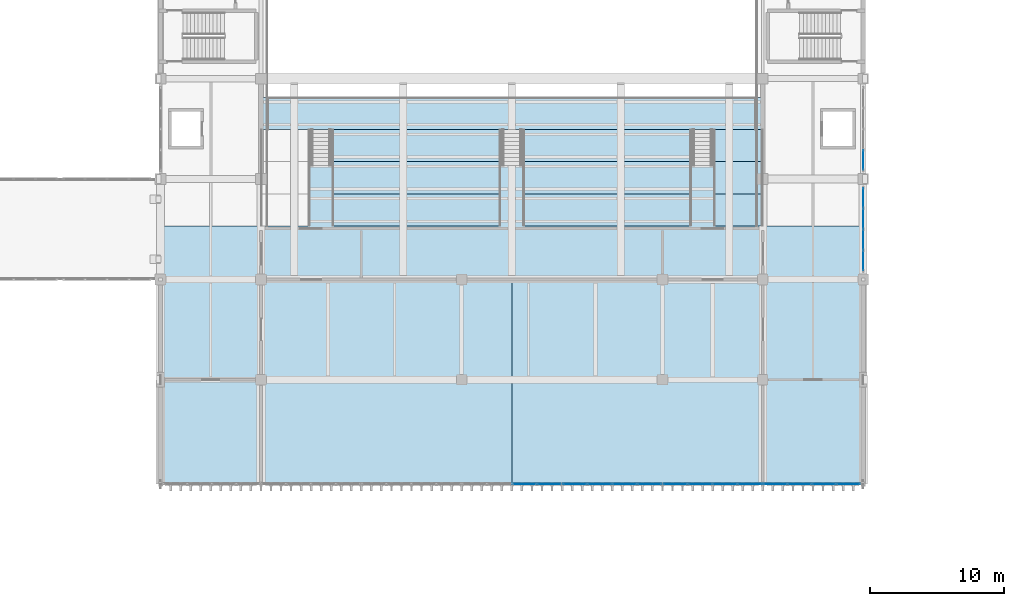
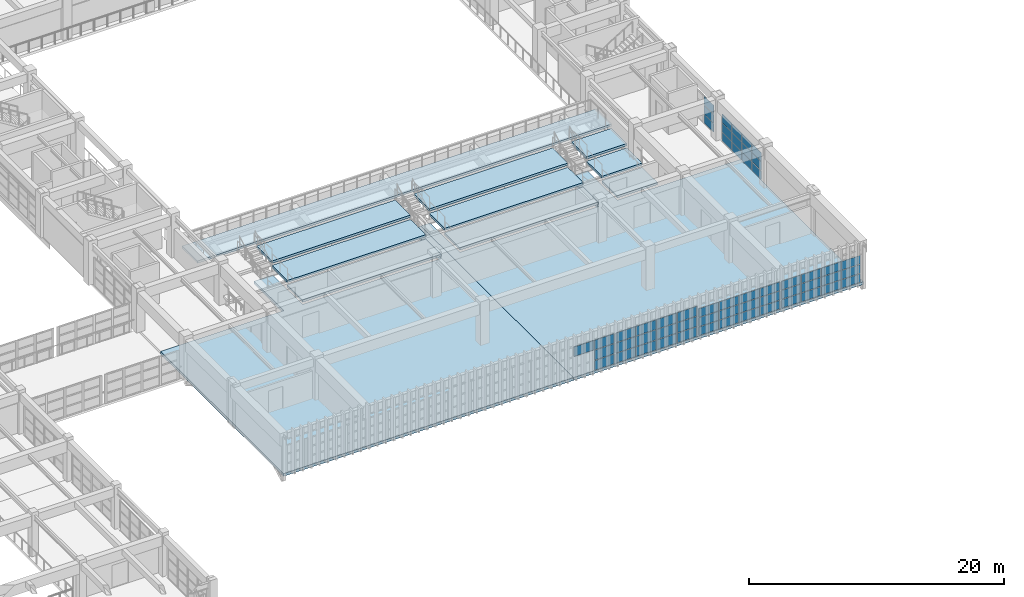
# One storey, part 81 of 124: 55 plates, 12 slabs, 6 elements without a shape of their own.
"""IFC4 building model written with IfcOpenShell, lengths in metres."""

from ifc_helpers import new_model, si_unit, direction, frame, origin, origin_2d, place, context, subcontext, project, spatial, polyline, rectangle, outline, extrude, material, layer, layer_set, type_object, element, aggregate, save


model = new_model("IFC4")

# Units and contexts
model_context = context("Model", 3, precision=1e-05, world=origin(), true_north=direction((0.0, 1.0)))
body_context = subcontext(model_context, "Body", "Model", "MODEL_VIEW")
ifc_project = project(units=[si_unit("LENGTHUNIT", "METRE"), si_unit("AREAUNIT", "SQUARE_METRE"), si_unit("VOLUMEUNIT", "CUBIC_METRE"), si_unit("PLANEANGLEUNIT", "RADIAN"), si_unit("MASSUNIT", "GRAM", prefix="KILO")], contexts=[model_context])

# Site, building, storey
site_placement = place(None, origin())
site = spatial("IfcSite", under=ifc_project, at=site_placement, CompositionType="ELEMENT")
building_placement = place(site_placement, origin())
building = spatial("IfcBuilding", under=site, at=building_placement, Name="Qasida Concert Hall", CompositionType="ELEMENT")
storey_placement = place(building_placement, frame((0.0, 0.0, 9.0)))
storey = spatial("IfcBuildingStorey", under=building, at=storey_placement, Name="L02", CompositionType="ELEMENT", Elevation=9.0)

# Curtain wall, plates
ifc_material_1 = material(Name="Architectural bronze-anodized aluminium and low-E glass", Category="aluminium")
curtain_wall_type = type_object("IfcCurtainWallType", Name="CW-03", PredefinedType="NOTDEFINED", material=ifc_material_1)
curtain_wall_1_placement = place(storey_placement, origin())
curtain_wall_1 = element("IfcCurtainWall", 1, at=curtain_wall_1_placement, inside=storey, type_object=curtain_wall_type, Name="L02 curtain wall CW-03 0011", PredefinedType="NOTDEFINED")
ifc_material_2 = material(Name="Solar-control low-E double glazing", Category="glass")
ifc_layer_1 = layer(ifc_material_2, 0.031982421875, Name="Solar-control low-E double glazing")
ifc_layer_set_1 = layer_set([ifc_layer_1], Name="Solar-control low-E double glazing")
plate_type = type_object("IfcPlateType", Name="PLT-CWP-2", PredefinedType="CURTAIN_PANEL", material=ifc_layer_set_1)
plate_1_placement = place(storey_placement, frame((79.6826171875, 14.699951171875, 2.023193359375), z_axis=(0.0, 0.0, 1.0), x_axis=(1.0, 0.0, 0.0)))
plate_1 = element("IfcPlate", 2, at=plate_1_placement, type_object=plate_type, Name="CW-03 panel 3.3", PredefinedType="CURTAIN_PANEL", context=body_context, shape_type="SweptSolid", body=[
    extrude(rectangle(XDim=1.800048828125, YDim=0.031982421875, at=origin_2d()), origin(), (0.0, 0.0, 1.0), 0.90673828125),
])
plate_2_placement = place(storey_placement, frame((81.53125, 14.699951171875, 0.06005859375), z_axis=(0.0, 0.0, 1.0), x_axis=(1.0, 0.0, 0.0)))
plate_2 = element("IfcPlate", 3, at=plate_2_placement, type_object=plate_type, Name="CW-03 panel 4.1", PredefinedType="CURTAIN_PANEL", context=body_context, shape_type="SweptSolid", body=[
    extrude(rectangle(XDim=1.767578125, YDim=0.031982421875, at=origin_2d()), origin(), (0.0, 0.0, 1.0), 0.90673828125),
])
plate_3_placement = place(storey_placement, frame((81.53125, 14.699951171875, 1.02685546875), z_axis=(0.0, 0.0, 1.0), x_axis=(1.0, 0.0, 0.0)))
plate_3 = element("IfcPlate", 4, at=plate_3_placement, type_object=plate_type, Name="CW-03 panel 4.2", PredefinedType="CURTAIN_PANEL", context=body_context, shape_type="SweptSolid", body=[
    extrude(rectangle(XDim=1.767578125, YDim=0.031982421875, at=origin_2d()), origin(), (0.0, 0.0, 1.0), 0.9365234375),
])
plate_4_placement = place(storey_placement, frame((81.53125, 14.699951171875, 2.023193359375), z_axis=(0.0, 0.0, 1.0), x_axis=(1.0, 0.0, 0.0)))
plate_4 = element("IfcPlate", 5, at=plate_4_placement, type_object=plate_type, Name="CW-03 panel 4.3", PredefinedType="CURTAIN_PANEL", context=body_context, shape_type="SweptSolid", body=[
    extrude(rectangle(XDim=1.767578125, YDim=0.031982421875, at=origin_2d()), origin(), (0.0, 0.0, 1.0), 0.90673828125),
])
aggregate(curtain_wall_1, [plate_1, plate_2, plate_3, plate_4])

curtain_wall_2_placement = place(storey_placement, origin())
curtain_wall_2 = element("IfcCurtainWall", 6, at=curtain_wall_2_placement, inside=storey, type_object=curtain_wall_type, Name="L02 curtain wall CW-03 0012", PredefinedType="NOTDEFINED")
plate_5_placement = place(storey_placement, frame((83.46875, 14.699951171875, 0.06005859375), z_axis=(0.0, 0.0, 1.0), x_axis=(1.0, 0.0, 0.0)))
plate_5 = element("IfcPlate", 7, at=plate_5_placement, type_object=plate_type, Name="CW-03 panel 1.1", PredefinedType="CURTAIN_PANEL", context=body_context, shape_type="SweptSolid", body=[
    extrude(rectangle(XDim=1.767578125, YDim=0.031982421875, at=origin_2d()), origin(), (0.0, 0.0, 1.0), 0.90673828125),
])
plate_6_placement = place(storey_placement, frame((83.46875, 14.699951171875, 1.02685546875), z_axis=(0.0, 0.0, 1.0), x_axis=(1.0, 0.0, 0.0)))
plate_6 = element("IfcPlate", 8, at=plate_6_placement, type_object=plate_type, Name="CW-03 panel 1.2", PredefinedType="CURTAIN_PANEL", context=body_context, shape_type="SweptSolid", body=[
    extrude(rectangle(XDim=1.767578125, YDim=0.031982421875, at=origin_2d()), origin(), (0.0, 0.0, 1.0), 0.9365234375),
])
plate_7_placement = place(storey_placement, frame((83.46875, 14.699951171875, 2.023193359375), z_axis=(0.0, 0.0, 1.0), x_axis=(1.0, 0.0, 0.0)))
plate_7 = element("IfcPlate", 9, at=plate_7_placement, type_object=plate_type, Name="CW-03 panel 1.3", PredefinedType="CURTAIN_PANEL", context=body_context, shape_type="SweptSolid", body=[
    extrude(rectangle(XDim=1.767578125, YDim=0.031982421875, at=origin_2d()), origin(), (0.0, 0.0, 1.0), 0.90673828125),
])
plate_8_placement = place(storey_placement, frame((85.3173828125, 14.699951171875, 0.06005859375), z_axis=(0.0, 0.0, 1.0), x_axis=(1.0, 0.0, 0.0)))
plate_8 = element("IfcPlate", 10, at=plate_8_placement, type_object=plate_type, Name="CW-03 panel 2.1", PredefinedType="CURTAIN_PANEL", context=body_context, shape_type="SweptSolid", body=[
    extrude(rectangle(XDim=1.800048828125, YDim=0.031982421875, at=origin_2d()), origin(), (0.0, 0.0, 1.0), 0.90673828125),
])
plate_9_placement = place(storey_placement, frame((85.3173828125, 14.699951171875, 1.02685546875), z_axis=(0.0, 0.0, 1.0), x_axis=(1.0, 0.0, 0.0)))
plate_9 = element("IfcPlate", 11, at=plate_9_placement, type_object=plate_type, Name="CW-03 panel 2.2", PredefinedType="CURTAIN_PANEL", context=body_context, shape_type="SweptSolid", body=[
    extrude(rectangle(XDim=1.800048828125, YDim=0.031982421875, at=origin_2d()), origin(), (0.0, 0.0, 1.0), 0.9365234375),
])
plate_10_placement = place(storey_placement, frame((85.3173828125, 14.699951171875, 2.023193359375), z_axis=(0.0, 0.0, 1.0), x_axis=(1.0, 0.0, 0.0)))
plate_10 = element("IfcPlate", 12, at=plate_10_placement, type_object=plate_type, Name="CW-03 panel 2.3", PredefinedType="CURTAIN_PANEL", context=body_context, shape_type="SweptSolid", body=[
    extrude(rectangle(XDim=1.800048828125, YDim=0.031982421875, at=origin_2d()), origin(), (0.0, 0.0, 1.0), 0.90673828125),
])
plate_11_placement = place(storey_placement, frame((87.1826171875, 14.699951171875, 0.06005859375), z_axis=(0.0, 0.0, 1.0), x_axis=(1.0, 0.0, 0.0)))
plate_11 = element("IfcPlate", 13, at=plate_11_placement, type_object=plate_type, Name="CW-03 panel 3.1", PredefinedType="CURTAIN_PANEL", context=body_context, shape_type="SweptSolid", body=[
    extrude(rectangle(XDim=1.800048828125, YDim=0.031982421875, at=origin_2d()), origin(), (0.0, 0.0, 1.0), 0.90673828125),
])
plate_12_placement = place(storey_placement, frame((87.1826171875, 14.699951171875, 1.02685546875), z_axis=(0.0, 0.0, 1.0), x_axis=(1.0, 0.0, 0.0)))
plate_12 = element("IfcPlate", 14, at=plate_12_placement, type_object=plate_type, Name="CW-03 panel 3.2", PredefinedType="CURTAIN_PANEL", context=body_context, shape_type="SweptSolid", body=[
    extrude(rectangle(XDim=1.800048828125, YDim=0.031982421875, at=origin_2d()), origin(), (0.0, 0.0, 1.0), 0.9365234375),
])
plate_13_placement = place(storey_placement, frame((87.1826171875, 14.699951171875, 2.023193359375), z_axis=(0.0, 0.0, 1.0), x_axis=(1.0, 0.0, 0.0)))
plate_13 = element("IfcPlate", 15, at=plate_13_placement, type_object=plate_type, Name="CW-03 panel 3.3", PredefinedType="CURTAIN_PANEL", context=body_context, shape_type="SweptSolid", body=[
    extrude(rectangle(XDim=1.800048828125, YDim=0.031982421875, at=origin_2d()), origin(), (0.0, 0.0, 1.0), 0.90673828125),
])
plate_14_placement = place(storey_placement, frame((89.03125, 14.699951171875, 0.06005859375), z_axis=(0.0, 0.0, 1.0), x_axis=(1.0, 0.0, 0.0)))
plate_14 = element("IfcPlate", 16, at=plate_14_placement, type_object=plate_type, Name="CW-03 panel 4.1", PredefinedType="CURTAIN_PANEL", context=body_context, shape_type="SweptSolid", body=[
    extrude(rectangle(XDim=1.767578125, YDim=0.031982421875, at=origin_2d()), origin(), (0.0, 0.0, 1.0), 0.90673828125),
])
plate_15_placement = place(storey_placement, frame((89.03125, 14.699951171875, 1.02685546875), z_axis=(0.0, 0.0, 1.0), x_axis=(1.0, 0.0, 0.0)))
plate_15 = element("IfcPlate", 17, at=plate_15_placement, type_object=plate_type, Name="CW-03 panel 4.2", PredefinedType="CURTAIN_PANEL", context=body_context, shape_type="SweptSolid", body=[
    extrude(rectangle(XDim=1.767578125, YDim=0.031982421875, at=origin_2d()), origin(), (0.0, 0.0, 1.0), 0.9365234375),
])
plate_16_placement = place(storey_placement, frame((89.03125, 14.699951171875, 2.023193359375), z_axis=(0.0, 0.0, 1.0), x_axis=(1.0, 0.0, 0.0)))
plate_16 = element("IfcPlate", 18, at=plate_16_placement, type_object=plate_type, Name="CW-03 panel 4.3", PredefinedType="CURTAIN_PANEL", context=body_context, shape_type="SweptSolid", body=[
    extrude(rectangle(XDim=1.767578125, YDim=0.031982421875, at=origin_2d()), origin(), (0.0, 0.0, 1.0), 0.90673828125),
])
aggregate(curtain_wall_2, [plate_5, plate_6, plate_7, plate_8, plate_9, plate_10, plate_11, plate_12, plate_13, plate_14, plate_15, plate_16])

curtain_wall_3_placement = place(storey_placement, origin())
curtain_wall_3 = element("IfcCurtainWall", 19, at=curtain_wall_3_placement, inside=storey, type_object=curtain_wall_type, Name="L02 curtain wall CW-03 0013", PredefinedType="NOTDEFINED")
plate_17_placement = place(storey_placement, frame((90.96875, 14.699951171875, 0.06005859375), z_axis=(0.0, 0.0, 1.0), x_axis=(1.0, 0.0, 0.0)))
plate_17 = element("IfcPlate", 20, at=plate_17_placement, type_object=plate_type, Name="CW-03 panel 1.1", PredefinedType="CURTAIN_PANEL", context=body_context, shape_type="SweptSolid", body=[
    extrude(rectangle(XDim=1.767578125, YDim=0.031982421875, at=origin_2d()), origin(), (0.0, 0.0, 1.0), 0.806640625),
])
plate_18_placement = place(storey_placement, frame((90.96875, 14.699951171875, 0.9267578125), z_axis=(0.0, 0.0, 1.0), x_axis=(1.0, 0.0, 0.0)))
plate_18 = element("IfcPlate", 21, at=plate_18_placement, type_object=plate_type, Name="CW-03 panel 1.2", PredefinedType="CURTAIN_PANEL", context=body_context, shape_type="SweptSolid", body=[
    extrude(rectangle(XDim=1.767578125, YDim=0.031982421875, at=origin_2d()), origin(), (0.0, 0.0, 1.0), 0.836669921875),
])
plate_19_placement = place(storey_placement, frame((90.96875, 14.699951171875, 1.8232421875), z_axis=(0.0, 0.0, 1.0), x_axis=(1.0, 0.0, 0.0)))
plate_19 = element("IfcPlate", 22, at=plate_19_placement, type_object=plate_type, Name="CW-03 panel 1.3", PredefinedType="CURTAIN_PANEL", context=body_context, shape_type="SweptSolid", body=[
    extrude(rectangle(XDim=1.767578125, YDim=0.031982421875, at=origin_2d()), origin(), (0.0, 0.0, 1.0), 0.806640625),
])
plate_20_placement = place(storey_placement, frame((92.8173828125, 14.699951171875, 0.06005859375), z_axis=(0.0, 0.0, 1.0), x_axis=(1.0, 0.0, 0.0)))
plate_20 = element("IfcPlate", 23, at=plate_20_placement, type_object=plate_type, Name="CW-03 panel 2.1", PredefinedType="CURTAIN_PANEL", context=body_context, shape_type="SweptSolid", body=[
    extrude(rectangle(XDim=1.800048828125, YDim=0.031982421875, at=origin_2d()), origin(), (0.0, 0.0, 1.0), 0.806640625),
])
plate_21_placement = place(storey_placement, frame((92.8173828125, 14.699951171875, 0.9267578125), z_axis=(0.0, 0.0, 1.0), x_axis=(1.0, 0.0, 0.0)))
plate_21 = element("IfcPlate", 24, at=plate_21_placement, type_object=plate_type, Name="CW-03 panel 2.2", PredefinedType="CURTAIN_PANEL", context=body_context, shape_type="SweptSolid", body=[
    extrude(rectangle(XDim=1.800048828125, YDim=0.031982421875, at=origin_2d()), origin(), (0.0, 0.0, 1.0), 0.836669921875),
])
plate_22_placement = place(storey_placement, frame((92.8173828125, 14.699951171875, 1.8232421875), z_axis=(0.0, 0.0, 1.0), x_axis=(1.0, 0.0, 0.0)))
plate_22 = element("IfcPlate", 25, at=plate_22_placement, type_object=plate_type, Name="CW-03 panel 2.3", PredefinedType="CURTAIN_PANEL", context=body_context, shape_type="SweptSolid", body=[
    extrude(rectangle(XDim=1.800048828125, YDim=0.031982421875, at=origin_2d()), origin(), (0.0, 0.0, 1.0), 0.806640625),
])
plate_23_placement = place(storey_placement, frame((94.6826171875, 14.699951171875, 0.06005859375), z_axis=(0.0, 0.0, 1.0), x_axis=(1.0, 0.0, 0.0)))
plate_23 = element("IfcPlate", 26, at=plate_23_placement, type_object=plate_type, Name="CW-03 panel 3.1", PredefinedType="CURTAIN_PANEL", context=body_context, shape_type="SweptSolid", body=[
    extrude(rectangle(XDim=1.800048828125, YDim=0.031982421875, at=origin_2d()), origin(), (0.0, 0.0, 1.0), 0.806640625),
])
plate_24_placement = place(storey_placement, frame((94.6826171875, 14.699951171875, 0.9267578125), z_axis=(0.0, 0.0, 1.0), x_axis=(1.0, 0.0, 0.0)))
plate_24 = element("IfcPlate", 27, at=plate_24_placement, type_object=plate_type, Name="CW-03 panel 3.2", PredefinedType="CURTAIN_PANEL", context=body_context, shape_type="SweptSolid", body=[
    extrude(rectangle(XDim=1.800048828125, YDim=0.031982421875, at=origin_2d()), origin(), (0.0, 0.0, 1.0), 0.836669921875),
])
plate_25_placement = place(storey_placement, frame((94.6826171875, 14.699951171875, 1.8232421875), z_axis=(0.0, 0.0, 1.0), x_axis=(1.0, 0.0, 0.0)))
plate_25 = element("IfcPlate", 28, at=plate_25_placement, type_object=plate_type, Name="CW-03 panel 3.3", PredefinedType="CURTAIN_PANEL", context=body_context, shape_type="SweptSolid", body=[
    extrude(rectangle(XDim=1.800048828125, YDim=0.031982421875, at=origin_2d()), origin(), (0.0, 0.0, 1.0), 0.806640625),
])
plate_26_placement = place(storey_placement, frame((96.53125, 14.699951171875, 0.06005859375), z_axis=(0.0, 0.0, 1.0), x_axis=(1.0, 0.0, 0.0)))
plate_26 = element("IfcPlate", 29, at=plate_26_placement, type_object=plate_type, Name="CW-03 panel 4.1", PredefinedType="CURTAIN_PANEL", context=body_context, shape_type="SweptSolid", body=[
    extrude(rectangle(XDim=1.767578125, YDim=0.031982421875, at=origin_2d()), origin(), (0.0, 0.0, 1.0), 0.806640625),
])
plate_27_placement = place(storey_placement, frame((96.53125, 14.699951171875, 0.9267578125), z_axis=(0.0, 0.0, 1.0), x_axis=(1.0, 0.0, 0.0)))
plate_27 = element("IfcPlate", 30, at=plate_27_placement, type_object=plate_type, Name="CW-03 panel 4.2", PredefinedType="CURTAIN_PANEL", context=body_context, shape_type="SweptSolid", body=[
    extrude(rectangle(XDim=1.767578125, YDim=0.031982421875, at=origin_2d()), origin(), (0.0, 0.0, 1.0), 0.836669921875),
])
plate_28_placement = place(storey_placement, frame((96.53125, 14.699951171875, 1.8232421875), z_axis=(0.0, 0.0, 1.0), x_axis=(1.0, 0.0, 0.0)))
plate_28 = element("IfcPlate", 31, at=plate_28_placement, type_object=plate_type, Name="CW-03 panel 4.3", PredefinedType="CURTAIN_PANEL", context=body_context, shape_type="SweptSolid", body=[
    extrude(rectangle(XDim=1.767578125, YDim=0.031982421875, at=origin_2d()), origin(), (0.0, 0.0, 1.0), 0.806640625),
])
aggregate(curtain_wall_3, [plate_17, plate_18, plate_19, plate_20, plate_21, plate_22, plate_23, plate_24, plate_25, plate_26, plate_27, plate_28])

curtain_wall_4_placement = place(storey_placement, origin())
curtain_wall_4 = element("IfcCurtainWall", 32, at=curtain_wall_4_placement, inside=storey, type_object=curtain_wall_type, Name="L02 curtain wall CW-03 0014", PredefinedType="NOTDEFINED")
plate_29_placement = place(storey_placement, frame((98.4462890625, 14.699951171875, 0.06005859375), z_axis=(0.0, 0.0, 1.0), x_axis=(1.0, 0.0, 0.0)))
plate_29 = element("IfcPlate", 33, at=plate_29_placement, type_object=plate_type, Name="CW-03 panel 1.1", PredefinedType="CURTAIN_PANEL", context=body_context, shape_type="SweptSolid", body=[
    extrude(rectangle(XDim=1.722412109375, YDim=0.031982421875, at=origin_2d()), origin(), (0.0, 0.0, 1.0), 0.806640625),
])
plate_30_placement = place(storey_placement, frame((98.4462890625, 14.699951171875, 0.9267578125), z_axis=(0.0, 0.0, 1.0), x_axis=(1.0, 0.0, 0.0)))
plate_30 = element("IfcPlate", 34, at=plate_30_placement, type_object=plate_type, Name="CW-03 panel 1.2", PredefinedType="CURTAIN_PANEL", context=body_context, shape_type="SweptSolid", body=[
    extrude(rectangle(XDim=1.722412109375, YDim=0.031982421875, at=origin_2d()), origin(), (0.0, 0.0, 1.0), 0.836669921875),
])
plate_31_placement = place(storey_placement, frame((98.4462890625, 14.699951171875, 1.8232421875), z_axis=(0.0, 0.0, 1.0), x_axis=(1.0, 0.0, 0.0)))
plate_31 = element("IfcPlate", 35, at=plate_31_placement, type_object=plate_type, Name="CW-03 panel 1.3", PredefinedType="CURTAIN_PANEL", context=body_context, shape_type="SweptSolid", body=[
    extrude(rectangle(XDim=1.722412109375, YDim=0.031982421875, at=origin_2d()), origin(), (0.0, 0.0, 1.0), 0.806640625),
])
plate_32_placement = place(storey_placement, frame((100.25, 14.699951171875, 0.06005859375), z_axis=(0.0, 0.0, 1.0), x_axis=(1.0, 0.0, 0.0)))
plate_32 = element("IfcPlate", 36, at=plate_32_placement, type_object=plate_type, Name="CW-03 panel 2.1", PredefinedType="CURTAIN_PANEL", context=body_context, shape_type="SweptSolid", body=[
    extrude(rectangle(XDim=1.7548828125, YDim=0.031982421875, at=origin_2d()), origin(), (0.0, 0.0, 1.0), 0.806640625),
])
plate_33_placement = place(storey_placement, frame((100.25, 14.699951171875, 0.9267578125), z_axis=(0.0, 0.0, 1.0), x_axis=(1.0, 0.0, 0.0)))
plate_33 = element("IfcPlate", 37, at=plate_33_placement, type_object=plate_type, Name="CW-03 panel 2.2", PredefinedType="CURTAIN_PANEL", context=body_context, shape_type="SweptSolid", body=[
    extrude(rectangle(XDim=1.7548828125, YDim=0.031982421875, at=origin_2d()), origin(), (0.0, 0.0, 1.0), 0.836669921875),
])
plate_34_placement = place(storey_placement, frame((100.25, 14.699951171875, 1.8232421875), z_axis=(0.0, 0.0, 1.0), x_axis=(1.0, 0.0, 0.0)))
plate_34 = element("IfcPlate", 38, at=plate_34_placement, type_object=plate_type, Name="CW-03 panel 2.3", PredefinedType="CURTAIN_PANEL", context=body_context, shape_type="SweptSolid", body=[
    extrude(rectangle(XDim=1.7548828125, YDim=0.031982421875, at=origin_2d()), origin(), (0.0, 0.0, 1.0), 0.806640625),
])
plate_35_placement = place(storey_placement, frame((102.070068359375, 14.699951171875, 0.06005859375), z_axis=(0.0, 0.0, 1.0), x_axis=(1.0, 0.0, 0.0)))
plate_35 = element("IfcPlate", 39, at=plate_35_placement, type_object=plate_type, Name="CW-03 panel 3.1", PredefinedType="CURTAIN_PANEL", context=body_context, shape_type="SweptSolid", body=[
    extrude(rectangle(XDim=1.7548828125, YDim=0.031982421875, at=origin_2d()), origin(), (0.0, 0.0, 1.0), 0.806640625),
])
plate_36_placement = place(storey_placement, frame((102.070068359375, 14.699951171875, 0.9267578125), z_axis=(0.0, 0.0, 1.0), x_axis=(1.0, 0.0, 0.0)))
plate_36 = element("IfcPlate", 40, at=plate_36_placement, type_object=plate_type, Name="CW-03 panel 3.2", PredefinedType="CURTAIN_PANEL", context=body_context, shape_type="SweptSolid", body=[
    extrude(rectangle(XDim=1.7548828125, YDim=0.031982421875, at=origin_2d()), origin(), (0.0, 0.0, 1.0), 0.836669921875),
])
plate_37_placement = place(storey_placement, frame((102.070068359375, 14.699951171875, 1.8232421875), z_axis=(0.0, 0.0, 1.0), x_axis=(1.0, 0.0, 0.0)))
plate_37 = element("IfcPlate", 41, at=plate_37_placement, type_object=plate_type, Name="CW-03 panel 3.3", PredefinedType="CURTAIN_PANEL", context=body_context, shape_type="SweptSolid", body=[
    extrude(rectangle(XDim=1.7548828125, YDim=0.031982421875, at=origin_2d()), origin(), (0.0, 0.0, 1.0), 0.806640625),
])
plate_38_placement = place(storey_placement, frame((103.873779296875, 14.699951171875, 0.06005859375), z_axis=(0.0, 0.0, 1.0), x_axis=(1.0, 0.0, 0.0)))
plate_38 = element("IfcPlate", 42, at=plate_38_placement, type_object=plate_type, Name="CW-03 panel 4.1", PredefinedType="CURTAIN_PANEL", context=body_context, shape_type="SweptSolid", body=[
    extrude(rectangle(XDim=1.722412109375, YDim=0.031982421875, at=origin_2d()), origin(), (0.0, 0.0, 1.0), 0.806640625),
])
plate_39_placement = place(storey_placement, frame((103.873779296875, 14.699951171875, 0.9267578125), z_axis=(0.0, 0.0, 1.0), x_axis=(1.0, 0.0, 0.0)))
plate_39 = element("IfcPlate", 43, at=plate_39_placement, type_object=plate_type, Name="CW-03 panel 4.2", PredefinedType="CURTAIN_PANEL", context=body_context, shape_type="SweptSolid", body=[
    extrude(rectangle(XDim=1.722412109375, YDim=0.031982421875, at=origin_2d()), origin(), (0.0, 0.0, 1.0), 0.836669921875),
])
plate_40_placement = place(storey_placement, frame((103.873779296875, 14.699951171875, 1.8232421875), z_axis=(0.0, 0.0, 1.0), x_axis=(1.0, 0.0, 0.0)))
plate_40 = element("IfcPlate", 44, at=plate_40_placement, type_object=plate_type, Name="CW-03 panel 4.3", PredefinedType="CURTAIN_PANEL", context=body_context, shape_type="SweptSolid", body=[
    extrude(rectangle(XDim=1.722412109375, YDim=0.031982421875, at=origin_2d()), origin(), (0.0, 0.0, 1.0), 0.806640625),
])
aggregate(curtain_wall_4, [plate_29, plate_30, plate_31, plate_32, plate_33, plate_34, plate_35, plate_36, plate_37, plate_38, plate_39, plate_40])

curtain_wall_5_placement = place(storey_placement, origin())
curtain_wall_5 = element("IfcCurtainWall", 45, at=curtain_wall_5_placement, inside=storey, type_object=curtain_wall_type, Name="L02 curtain wall CW-03 0046", PredefinedType="NOTDEFINED")
plate_41_placement = place(storey_placement, frame((105.0, 31.418701171875, 0.06005859375), z_axis=(0.0, 0.0, 1.0), x_axis=(0.0, 1.0, 0.0)))
plate_41 = element("IfcPlate", 46, at=plate_41_placement, type_object=plate_type, Name="CW-03 panel 1.1", PredefinedType="CURTAIN_PANEL", context=body_context, shape_type="SweptSolid", body=[
    extrude(rectangle(XDim=1.467529296875, YDim=0.031982421875, at=origin_2d()), origin(), (0.0, 0.0, 1.0), 0.806640625),
])
plate_42_placement = place(storey_placement, frame((105.0, 31.418701171875, 0.9267578125), z_axis=(0.0, 0.0, 1.0), x_axis=(0.0, 1.0, 0.0)))
plate_42 = element("IfcPlate", 47, at=plate_42_placement, type_object=plate_type, Name="CW-03 panel 1.2", PredefinedType="CURTAIN_PANEL", context=body_context, shape_type="SweptSolid", body=[
    extrude(rectangle(XDim=1.467529296875, YDim=0.031982421875, at=origin_2d()), origin(), (0.0, 0.0, 1.0), 0.836669921875),
])
plate_43_placement = place(storey_placement, frame((105.0, 31.418701171875, 1.8232421875), z_axis=(0.0, 0.0, 1.0), x_axis=(0.0, 1.0, 0.0)))
plate_43 = element("IfcPlate", 48, at=plate_43_placement, type_object=plate_type, Name="CW-03 panel 1.3", PredefinedType="CURTAIN_PANEL", context=body_context, shape_type="SweptSolid", body=[
    extrude(rectangle(XDim=1.467529296875, YDim=0.031982421875, at=origin_2d()), origin(), (0.0, 0.0, 1.0), 0.806640625),
])
plate_44_placement = place(storey_placement, frame((105.0, 32.967529296875, 0.06005859375), z_axis=(0.0, 0.0, 1.0), x_axis=(0.0, 1.0, 0.0)))
plate_44 = element("IfcPlate", 49, at=plate_44_placement, type_object=plate_type, Name="CW-03 panel 2.1", PredefinedType="CURTAIN_PANEL", context=body_context, shape_type="SweptSolid", body=[
    extrude(rectangle(XDim=1.5, YDim=0.031982421875, at=origin_2d()), origin(), (0.0, 0.0, 1.0), 0.806640625),
])
plate_45_placement = place(storey_placement, frame((105.0, 32.967529296875, 0.9267578125), z_axis=(0.0, 0.0, 1.0), x_axis=(0.0, 1.0, 0.0)))
plate_45 = element("IfcPlate", 50, at=plate_45_placement, type_object=plate_type, Name="CW-03 panel 2.2", PredefinedType="CURTAIN_PANEL", context=body_context, shape_type="SweptSolid", body=[
    extrude(rectangle(XDim=1.5, YDim=0.031982421875, at=origin_2d()), origin(), (0.0, 0.0, 1.0), 0.836669921875),
])
plate_46_placement = place(storey_placement, frame((105.0, 32.967529296875, 1.8232421875), z_axis=(0.0, 0.0, 1.0), x_axis=(0.0, 1.0, 0.0)))
plate_46 = element("IfcPlate", 51, at=plate_46_placement, type_object=plate_type, Name="CW-03 panel 2.3", PredefinedType="CURTAIN_PANEL", context=body_context, shape_type="SweptSolid", body=[
    extrude(rectangle(XDim=1.5, YDim=0.031982421875, at=origin_2d()), origin(), (0.0, 0.0, 1.0), 0.806640625),
])
plate_47_placement = place(storey_placement, frame((105.0, 34.532470703125, 0.06005859375), z_axis=(0.0, 0.0, 1.0), x_axis=(0.0, 1.0, 0.0)))
plate_47 = element("IfcPlate", 52, at=plate_47_placement, type_object=plate_type, Name="CW-03 panel 3.1", PredefinedType="CURTAIN_PANEL", context=body_context, shape_type="SweptSolid", body=[
    extrude(rectangle(XDim=1.5, YDim=0.031982421875, at=origin_2d()), origin(), (0.0, 0.0, 1.0), 0.806640625),
])
plate_48_placement = place(storey_placement, frame((105.0, 34.532470703125, 0.9267578125), z_axis=(0.0, 0.0, 1.0), x_axis=(0.0, 1.0, 0.0)))
plate_48 = element("IfcPlate", 53, at=plate_48_placement, type_object=plate_type, Name="CW-03 panel 3.2", PredefinedType="CURTAIN_PANEL", context=body_context, shape_type="SweptSolid", body=[
    extrude(rectangle(XDim=1.5, YDim=0.031982421875, at=origin_2d()), origin(), (0.0, 0.0, 1.0), 0.836669921875),
])
plate_49_placement = place(storey_placement, frame((105.0, 34.532470703125, 1.8232421875), z_axis=(0.0, 0.0, 1.0), x_axis=(0.0, 1.0, 0.0)))
plate_49 = element("IfcPlate", 54, at=plate_49_placement, type_object=plate_type, Name="CW-03 panel 3.3", PredefinedType="CURTAIN_PANEL", context=body_context, shape_type="SweptSolid", body=[
    extrude(rectangle(XDim=1.5, YDim=0.031982421875, at=origin_2d()), origin(), (0.0, 0.0, 1.0), 0.806640625),
])
plate_50_placement = place(storey_placement, frame((105.0, 36.081298828125, 0.06005859375), z_axis=(0.0, 0.0, 1.0), x_axis=(0.0, 1.0, 0.0)))
plate_50 = element("IfcPlate", 55, at=plate_50_placement, type_object=plate_type, Name="CW-03 panel 4.1", PredefinedType="CURTAIN_PANEL", context=body_context, shape_type="SweptSolid", body=[
    extrude(rectangle(XDim=1.467529296875, YDim=0.031982421875, at=origin_2d()), origin(), (0.0, 0.0, 1.0), 0.806640625),
])
plate_51_placement = place(storey_placement, frame((105.0, 36.081298828125, 0.9267578125), z_axis=(0.0, 0.0, 1.0), x_axis=(0.0, 1.0, 0.0)))
plate_51 = element("IfcPlate", 56, at=plate_51_placement, type_object=plate_type, Name="CW-03 panel 4.2", PredefinedType="CURTAIN_PANEL", context=body_context, shape_type="SweptSolid", body=[
    extrude(rectangle(XDim=1.467529296875, YDim=0.031982421875, at=origin_2d()), origin(), (0.0, 0.0, 1.0), 0.836669921875),
])
plate_52_placement = place(storey_placement, frame((105.0, 36.081298828125, 1.8232421875), z_axis=(0.0, 0.0, 1.0), x_axis=(0.0, 1.0, 0.0)))
plate_52 = element("IfcPlate", 57, at=plate_52_placement, type_object=plate_type, Name="CW-03 panel 4.3", PredefinedType="CURTAIN_PANEL", context=body_context, shape_type="SweptSolid", body=[
    extrude(rectangle(XDim=1.467529296875, YDim=0.031982421875, at=origin_2d()), origin(), (0.0, 0.0, 1.0), 0.806640625),
])
aggregate(curtain_wall_5, [plate_41, plate_42, plate_43, plate_44, plate_45, plate_46, plate_47, plate_48, plate_49, plate_50, plate_51, plate_52])

curtain_wall_6_placement = place(storey_placement, origin())
curtain_wall_6 = element("IfcCurtainWall", 58, at=curtain_wall_6_placement, inside=storey, type_object=curtain_wall_type, Name="L02 curtain wall CW-03 0048", PredefinedType="NOTDEFINED")
plate_53_placement = place(storey_placement, frame((105.0, 38.918701171875, 0.06005859375), z_axis=(0.0, 0.0, 1.0), x_axis=(0.0, 1.0, 0.0)))
plate_53 = element("IfcPlate", 59, at=plate_53_placement, type_object=plate_type, Name="CW-03 panel 1.1", PredefinedType="CURTAIN_PANEL", context=body_context, shape_type="SweptSolid", body=[
    extrude(rectangle(XDim=1.467529296875, YDim=0.031982421875, at=origin_2d()), origin(), (0.0, 0.0, 1.0), 0.806640625),
])
plate_54_placement = place(storey_placement, frame((105.0, 38.918701171875, 0.9267578125), z_axis=(0.0, 0.0, 1.0), x_axis=(0.0, 1.0, 0.0)))
plate_54 = element("IfcPlate", 60, at=plate_54_placement, type_object=plate_type, Name="CW-03 panel 1.2", PredefinedType="CURTAIN_PANEL", context=body_context, shape_type="SweptSolid", body=[
    extrude(rectangle(XDim=1.467529296875, YDim=0.031982421875, at=origin_2d()), origin(), (0.0, 0.0, 1.0), 0.836669921875),
])
plate_55_placement = place(storey_placement, frame((105.0, 38.918701171875, 1.8232421875), z_axis=(0.0, 0.0, 1.0), x_axis=(0.0, 1.0, 0.0)))
plate_55 = element("IfcPlate", 61, at=plate_55_placement, type_object=plate_type, Name="CW-03 panel 1.3", PredefinedType="CURTAIN_PANEL", context=body_context, shape_type="SweptSolid", body=[
    extrude(rectangle(XDim=1.467529296875, YDim=0.031982421875, at=origin_2d()), origin(), (0.0, 0.0, 1.0), 0.806640625),
])
aggregate(curtain_wall_6, [plate_53, plate_54, plate_55])

# Slabs
ifc_material_3 = material(Name="Concrete C40/50", Category="concrete")
ifc_layer_2 = layer(ifc_material_3, 0.260009765625, Name="Concrete C40/50")
ifc_layer_set_2 = layer_set([ifc_layer_2], Name="Concrete C40/50")
slab_type_1 = type_object("IfcSlabType", Name="SL-FS-260", PredefinedType="FLOOR", material=ifc_layer_set_2)
slab_1_placement = place(storey_placement, frame((0.0, 0.0, -0.260009765625)))
element("IfcSlab", 62, at=slab_1_placement, inside=storey, type_object=slab_type_1, Name="V1 south foyer west (FS-260)", PredefinedType="FLOOR", context=body_context, shape_type="SweptSolid", body=[
    extrude(outline(polyline([(78.75, 14.699951171875), (52.5, 14.699951171875), (52.5, 34.0), (63.64990234375, 34.0), (63.64990234375, 38.64990234375), (65.35009765625, 38.64990234375), (65.35009765625, 34.0), (77.89990234375, 34.0), (77.89990234375, 38.64990234375), (78.75, 38.64990234375), (78.75, 34.0), (78.75, 33.949951171875), (78.75, 14.699951171875)])), origin(), (0.0, 0.0, 1.0), 0.260009765625),
])
slab_2_placement = place(storey_placement, frame((0.0, 0.0, -0.260009765625)))
element("IfcSlab", 63, at=slab_2_placement, inside=storey, type_object=slab_type_1, Name="V1 south foyer east (FS-260)", PredefinedType="FLOOR", context=body_context, shape_type="SweptSolid", body=[
    extrude(outline(polyline([(105.0, 34.0), (105.0, 14.699951171875), (78.75, 14.699951171875), (78.75, 33.949951171875), (78.75, 34.0), (78.75, 38.64990234375), (79.60009765625, 38.64990234375), (79.60009765625, 34.0), (92.14990234375, 34.0), (92.14990234375, 38.64990234375), (93.85009765625, 38.64990234375), (93.85009765625, 34.0), (105.0, 34.0)])), origin(), (0.0, 0.0, 1.0), 0.260009765625),
])
ifc_layer_3 = layer(ifc_material_3, 0.219970703125, Name="Concrete C40/50")
ifc_layer_set_3 = layer_set([ifc_layer_3], Name="Concrete C40/50")
slab_type_2 = type_object("IfcSlabType", Name="SL-ST-TIER-220", PredefinedType="USERDEFINED", material=ifc_layer_set_3)
slab_3_placement = place(storey_placement, frame((0.0, 0.0, 0.1923828125)))
element("IfcSlab", 64, at=slab_3_placement, inside=storey, type_object=slab_type_2, Name="Stand symphony first balcony tier 1.2", ObjectType="SEATING TIER", PredefinedType="USERDEFINED", context=body_context, shape_type="SweptSolid", body=[
    extrude(outline(polyline([(65.35009765625, 34.0), (77.89990234375, 34.0), (77.89990234375, 36.39990234375), (65.35009765625, 36.39990234375), (65.35009765625, 34.0)])), origin(), (0.0, 0.0, 1.0), 0.22021484375),
])
slab_4_placement = place(storey_placement, frame((0.0, 0.0, 0.1923828125)))
element("IfcSlab", 65, at=slab_4_placement, inside=storey, type_object=slab_type_2, Name="Stand symphony first balcony tier 1.3", ObjectType="SEATING TIER", PredefinedType="USERDEFINED", context=body_context, shape_type="SweptSolid", body=[
    extrude(outline(polyline([(79.60009765625, 34.0), (92.14990234375, 34.0), (92.14990234375, 36.39990234375), (79.60009765625, 36.39990234375), (79.60009765625, 34.0)])), origin(), (0.0, 0.0, 1.0), 0.22021484375),
])
slab_5_placement = place(storey_placement, frame((0.0, 0.0, 0.1923828125)))
element("IfcSlab", 66, at=slab_5_placement, inside=storey, type_object=slab_type_2, Name="Stand symphony first balcony tier 1.4", ObjectType="SEATING TIER", PredefinedType="USERDEFINED", context=body_context, shape_type="SweptSolid", body=[
    extrude(outline(polyline([(93.85009765625, 34.0), (97.5, 34.0), (97.5, 36.39990234375), (93.85009765625, 36.39990234375), (93.85009765625, 34.0)])), origin(), (0.0, 0.0, 1.0), 0.22021484375),
])
slab_6_placement = place(storey_placement, frame((0.0, 0.0, 0.60498046875)))
element("IfcSlab", 67, at=slab_6_placement, inside=storey, type_object=slab_type_2, Name="Stand symphony first balcony tier 2.2", ObjectType="SEATING TIER", PredefinedType="USERDEFINED", context=body_context, shape_type="SweptSolid", body=[
    extrude(outline(polyline([(65.35009765625, 36.39990234375), (77.89990234375, 36.39990234375), (77.89990234375, 38.800048828125), (65.35009765625, 38.800048828125), (65.35009765625, 36.39990234375)])), origin(), (0.0, 0.0, 1.0), 0.219970703125),
])
slab_7_placement = place(storey_placement, frame((0.0, 0.0, 0.60498046875)))
element("IfcSlab", 68, at=slab_7_placement, inside=storey, type_object=slab_type_2, Name="Stand symphony first balcony tier 2.3", ObjectType="SEATING TIER", PredefinedType="USERDEFINED", context=body_context, shape_type="SweptSolid", body=[
    extrude(outline(polyline([(79.60009765625, 36.39990234375), (92.14990234375, 36.39990234375), (92.14990234375, 38.800048828125), (79.60009765625, 38.800048828125), (79.60009765625, 36.39990234375)])), origin(), (0.0, 0.0, 1.0), 0.219970703125),
])
slab_8_placement = place(storey_placement, frame((0.0, 0.0, 0.60498046875)))
element("IfcSlab", 69, at=slab_8_placement, inside=storey, type_object=slab_type_2, Name="Stand symphony first balcony tier 2.4", ObjectType="SEATING TIER", PredefinedType="USERDEFINED", context=body_context, shape_type="SweptSolid", body=[
    extrude(outline(polyline([(93.85009765625, 36.39990234375), (97.5, 36.39990234375), (97.5, 38.800048828125), (93.85009765625, 38.800048828125), (93.85009765625, 36.39990234375)])), origin(), (0.0, 0.0, 1.0), 0.219970703125),
])
slab_9_placement = place(storey_placement, frame((0.0, 0.0, 1.017578125)))
element("IfcSlab", 70, at=slab_9_placement, inside=storey, type_object=slab_type_2, Name="Stand symphony first balcony tier 3.2", ObjectType="SEATING TIER", PredefinedType="USERDEFINED", context=body_context, shape_type="SweptSolid", body=[
    extrude(outline(polyline([(65.35009765625, 38.800048828125), (77.89990234375, 38.800048828125), (77.89990234375, 41.199951171875), (65.35009765625, 41.199951171875), (65.35009765625, 38.800048828125)])), origin(), (0.0, 0.0, 1.0), 0.219970703125),
])
slab_10_placement = place(storey_placement, frame((0.0, 0.0, 1.017578125)))
element("IfcSlab", 71, at=slab_10_placement, inside=storey, type_object=slab_type_2, Name="Stand symphony first balcony tier 3.3", ObjectType="SEATING TIER", PredefinedType="USERDEFINED", context=body_context, shape_type="SweptSolid", body=[
    extrude(outline(polyline([(79.60009765625, 38.800048828125), (92.14990234375, 38.800048828125), (92.14990234375, 41.199951171875), (79.60009765625, 41.199951171875), (79.60009765625, 38.800048828125)])), origin(), (0.0, 0.0, 1.0), 0.219970703125),
])
slab_11_placement = place(storey_placement, frame((0.0, 0.0, 1.017578125)))
element("IfcSlab", 72, at=slab_11_placement, inside=storey, type_object=slab_type_2, Name="Stand symphony first balcony tier 3.4", ObjectType="SEATING TIER", PredefinedType="USERDEFINED", context=body_context, shape_type="SweptSolid", body=[
    extrude(outline(polyline([(93.85009765625, 38.800048828125), (97.5, 38.800048828125), (97.5, 41.199951171875), (93.85009765625, 41.199951171875), (93.85009765625, 38.800048828125)])), origin(), (0.0, 0.0, 1.0), 0.219970703125),
])
slab_12_placement = place(storey_placement, frame((0.0, 0.0, 1.429931640625)))
element("IfcSlab", 73, at=slab_12_placement, inside=storey, type_object=slab_type_2, Name="Stand symphony first balcony tier 4", ObjectType="SEATING TIER", PredefinedType="USERDEFINED", context=body_context, shape_type="SweptSolid", body=[
    extrude(outline(polyline([(60.0, 41.199951171875), (97.5, 41.199951171875), (97.5, 43.60009765625), (60.0, 43.60009765625), (60.0, 41.199951171875)])), origin(), (0.0, 0.0, 1.0), 0.219970703125),
])

save(model, "model.ifc")
